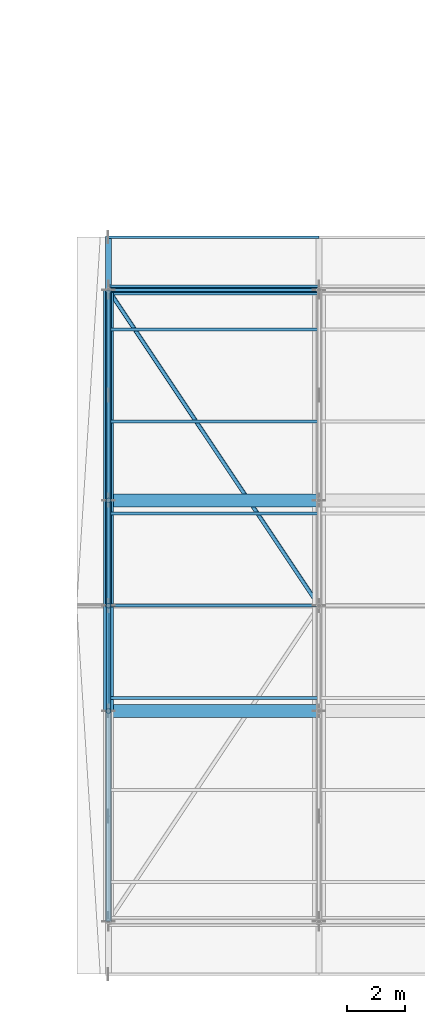
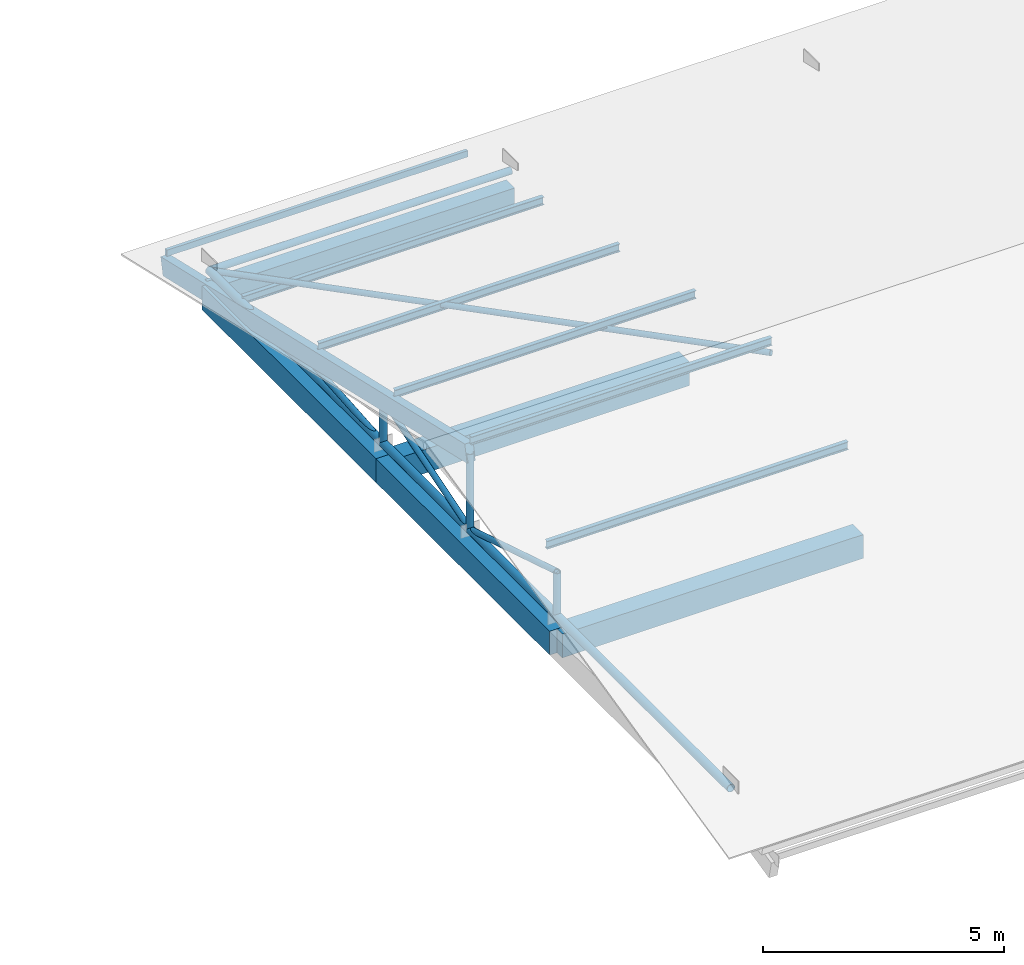
# One storey, part 17 of 93: 17 members, 5 beams.
"""IFC4 building model written with IfcOpenShell, lengths in metres."""

import ifcopenshell
import ifcopenshell.guid

model = None  # the IFC model being written
_history = None  # IfcOwnerHistory: only IFC2X3 demands one
_inside = {}  # id of a spatial element -> (the spatial element, [elements in it])
_under = {}  # id of a project, library or spatial element -> (it, [spatial elements below it])
_declared = {}  # id of a project -> (the project, [libraries it declares])
_typed = {}  # id of a type object -> (the type object, [elements of that type])
_made_of = {}  # id of a material, layer set ... -> (it, [elements and type objects made of it])


def new_model(schema):
    """Start an empty IFC model of exactly this schema.

    Asked for "IFC4X3", IfcOpenShell would pick the latest addendum, in which some entities
    have other attributes; the version numbers below select the first issue.
    IFC2X3 requires an IfcOwnerHistory on every rooted entity: one is made here for all.
    """
    global model, _history
    if schema == "IFC4X3":
        model = ifcopenshell.file(schema_version=(4, 3, 0, 0))
    else:
        model = ifcopenshell.file(schema=schema)
    _inside.clear()
    _under.clear()
    _declared.clear()
    _typed.clear()
    _made_of.clear()
    _history = None
    if model.schema == "IFC2X3":
        org = make("IfcOrganization", Name="unknown")
        user = make(
            "IfcPersonAndOrganization",
            ThePerson=make("IfcPerson", FamilyName="unknown"),
            TheOrganization=org,
        )
        app = make(
            "IfcApplication",
            ApplicationDeveloper=org,
            Version="unknown",
            ApplicationFullName="unknown",
            ApplicationIdentifier="unknown",
        )
        _history = make(
            "IfcOwnerHistory",
            OwningUser=user,
            OwningApplication=app,
            ChangeAction="ADDED",
            CreationDate=0,
        )
    return model


def make(cls, **values):
    """One entity of the class cls with the attributes given. An attribute that is None is left unset."""
    return model.create_entity(
        cls, **{name: value for name, value in values.items() if value is not None}
    )


def rooted(cls, **values):
    """An entity with a GlobalId (a new one), such as an element, a storey or a relation."""
    return make(cls, GlobalId=ifcopenshell.guid.new(), OwnerHistory=_history, **values)


def si_unit(unit_type, name, prefix=None):
    """IfcSIUnit, for example si_unit("LENGTHUNIT", "METRE", prefix="MILLI")."""
    return make("IfcSIUnit", UnitType=unit_type, Prefix=prefix, Name=name)


def assignment(units):
    """IfcUnitAssignment: the units of a project."""
    return None if units is None else make("IfcUnitAssignment", Units=units)


def point(xyz):
    """IfcCartesianPoint."""
    return None if xyz is None else make("IfcCartesianPoint", Coordinates=xyz)


def direction(xyz):
    """IfcDirection."""
    return None if xyz is None else make("IfcDirection", DirectionRatios=xyz)


def frame(location, z_axis=None, x_axis=None):
    """IfcAxis2Placement3D, a coordinate frame: its origin and axes. An axis left out is left unset."""
    return make(
        "IfcAxis2Placement3D",
        Location=point(location),
        Axis=direction(z_axis),
        RefDirection=direction(x_axis),
    )


def frame_2d(location, x_axis=None):
    """IfcAxis2Placement2D, a coordinate frame in the plane: its origin and x axis."""
    return make(
        "IfcAxis2Placement2D", Location=point(location), RefDirection=direction(x_axis)
    )


def origin():
    """The frame at (0, 0, 0) with its axes left unset."""
    return frame((0.0, 0.0, 0.0))


def origin_2d():
    """The frame at (0, 0) in the plane with its x axis left unset."""
    return frame_2d((0.0, 0.0))


def place(relative_to, where):
    """IfcLocalPlacement: puts the frame where relative to a parent placement (None: the world)."""
    return make(
        "IfcLocalPlacement", PlacementRelTo=relative_to, RelativePlacement=where
    )


def context(
    kind, dimensions, precision=None, world=None, true_north=None, identifier=None
):
    """IfcGeometricRepresentationContext, for example the 3D "Model" context."""
    return make(
        "IfcGeometricRepresentationContext",
        ContextIdentifier=identifier,
        ContextType=kind,
        CoordinateSpaceDimension=dimensions,
        Precision=precision,
        WorldCoordinateSystem=world,
        TrueNorth=true_north,
    )


def subcontext(parent, identifier, kind, view, scale=None):
    """IfcGeometricRepresentationSubContext, for example "Body" below "Model"."""
    return make(
        "IfcGeometricRepresentationSubContext",
        ContextIdentifier=identifier,
        ContextType=kind,
        ParentContext=parent,
        TargetScale=scale,
        TargetView=view,
    )


def project(units=None, contexts=None):
    """IfcProject with its units and contexts."""
    return rooted(
        "IfcProject",
        Name="project",
        RepresentationContexts=contexts,
        UnitsInContext=assignment(units),
    )


def spatial(cls, under=None, at=None, **own):
    """A site, building, storey or space (cls), placed at a placement, below another one or the project."""
    s = rooted(cls, ObjectPlacement=at, **own)
    if under is not None:
        _under.setdefault(under.id(), (under, []))[1].append(s)
    return s


def profile(cls, at=None, kind="AREA", **sizes):
    """A parametric profile (cls). Its sizes go by their IFC names, for example OverallWidth=200.0."""
    return make(cls, ProfileType=kind, Position=at, **sizes)


def rectangle(**sizes):
    """IfcRectangleProfileDef."""
    return profile("IfcRectangleProfileDef", **sizes)


def hollow_rectangle(**sizes):
    """IfcRectangleHollowProfileDef."""
    return profile("IfcRectangleHollowProfileDef", **sizes)


def hollow_circle(**sizes):
    """IfcCircleHollowProfileDef."""
    return profile("IfcCircleHollowProfileDef", **sizes)


def i_section(**sizes):
    """IfcIShapeProfileDef."""
    return profile("IfcIShapeProfileDef", **sizes)


def extrude(swept, where, along, depth):
    """IfcExtrudedAreaSolid: the profile swept, set in the frame where, extruded along a direction by depth."""
    return make(
        "IfcExtrudedAreaSolid",
        SweptArea=swept,
        Position=where,
        ExtrudedDirection=direction(along),
        Depth=depth,
    )


def shape(context_of_items, identifier, shape_type, items):
    """IfcShapeRepresentation: the items that make up one representation, for example the "Body"."""
    return make(
        "IfcShapeRepresentation",
        ContextOfItems=context_of_items,
        RepresentationIdentifier=identifier,
        RepresentationType=shape_type,
        Items=items,
    )


def material(Name=None, Category=None):
    """IfcMaterial."""
    return make("IfcMaterial", Name=Name, Category=Category)


def material_profile(
    of_material, cross_section, Name=None, Category=None, Priority=None
):
    """IfcMaterialProfile: a cross section and its material."""
    return make(
        "IfcMaterialProfile",
        Name=Name,
        Material=of_material,
        Profile=cross_section,
        Priority=Priority,
        Category=Category,
    )


def profile_set(profiles, Name=None, composite=None):
    """IfcMaterialProfileSet."""
    return make(
        "IfcMaterialProfileSet",
        Name=Name,
        MaterialProfiles=profiles,
        CompositeProfile=composite,
    )


def made_of(thing, what):
    """Note that an element or type object is made of a material, layer set ...; save() writes the relation."""
    if what is not None:
        _made_of.setdefault(what.id(), (what, []))[1].append(thing)
    return thing


def type_object(cls, material=None, **own):
    """A type object (cls), such as IfcWallType, which elements share."""
    return made_of(rooted(cls, **own), material)


def element(
    cls,
    number,
    at=None,
    inside=None,
    cuts=None,
    type_object=None,
    material=None,
    context=None,
    identifier="Body",
    shape_type=None,
    held_by="IfcProductDefinitionShape",
    body=None,
    shapes=None,
    **own,
):
    """One element of the class cls, such as IfcWall. Its Tag is "e" and its number.

    at: its placement. inside: the storey or other place that contains it. cuts: it is an
    opening in that element (IfcRelVoidsElement). A single representation is given by context,
    identifier, shape_type and body (its items); several are given by shapes. held_by: the class
    of the entity that holds the representations. save() writes the other relations.
    """
    e = rooted(cls, Tag="e%d" % number, ObjectPlacement=at, **own)
    if body is not None:
        shapes = [shape(context, identifier, shape_type, body)]
    if shapes is not None:
        e.Representation = make(held_by, Representations=shapes)
    if inside is not None:
        _inside.setdefault(inside.id(), (inside, []))[1].append(e)
    if cuts is not None:
        rooted(
            "IfcRelVoidsElement", RelatingBuildingElement=cuts, RelatedOpeningElement=e
        )
    if type_object is not None:
        _typed.setdefault(type_object.id(), (type_object, []))[1].append(e)
    return made_of(e, material)


def aggregate(whole, parts):
    """IfcRelAggregates: a whole, such as a stair, and the parts it consists of."""
    return rooted("IfcRelAggregates", RelatingObject=whole, RelatedObjects=parts)


def save(model, path):
    """Write the relations noted so far, then the file.

    IfcRelAggregates (storeys below a building ...), IfcRelContainedInSpatialStructure (elements
    in a storey), IfcRelDefinesByType, IfcRelAssociatesMaterial and IfcRelDeclares: one each for
    every whole, place, type object, material and project.
    """
    for whole, parts in _under.values():
        aggregate(whole, parts)
    for where, things in _inside.values():
        rooted(
            "IfcRelContainedInSpatialStructure",
            RelatedElements=things,
            RelatingStructure=where,
        )
    for kind, things in _typed.values():
        rooted("IfcRelDefinesByType", RelatedObjects=things, RelatingType=kind)
    for what, things in _made_of.values():
        rooted("IfcRelAssociatesMaterial", RelatedObjects=things, RelatingMaterial=what)
    for by, libraries in _declared.values():
        rooted("IfcRelDeclares", RelatingContext=by, RelatedDefinitions=libraries)
    model.write(path)


model = new_model("IFC4")

# Units and contexts
model_context = context("Model", 3, precision=1e-05, world=origin(), true_north=direction((0.0, 1.0)))
body_context = subcontext(model_context, "Body", "Model", "MODEL_VIEW")
ifc_project = project(units=[si_unit("LENGTHUNIT", "METRE"), si_unit("AREAUNIT", "SQUARE_METRE"), si_unit("VOLUMEUNIT", "CUBIC_METRE"), si_unit("PLANEANGLEUNIT", "RADIAN"), si_unit("MASSUNIT", "GRAM", prefix="KILO")], contexts=[model_context])

# Site, building, storey
site_placement = place(None, origin())
site = spatial("IfcSite", under=ifc_project, at=site_placement, CompositionType="ELEMENT")
building_placement = place(site_placement, origin())
building = spatial("IfcBuilding", under=site, at=building_placement, Name="Zornivar Specialist Clinic", CompositionType="ELEMENT")
storey_placement = place(building_placement, frame((0.0, 0.0, 8.39990234375)))
storey = spatial("IfcBuildingStorey", under=building, at=storey_placement, Name="L02", CompositionType="ELEMENT", Elevation=8.39990234375)

# Beams
ifc_material_1 = material(Name="Concrete C30/37", Category="concrete")
ifc_material_profile_1 = material_profile(ifc_material_1, rectangle(XDim=0.43994140625, YDim=0.60009765625, at=origin_2d()), Name="RC 440x600")
ifc_profile_set_1 = profile_set([ifc_material_profile_1], Name="Concrete C30/37")
beam_type_1 = type_object("IfcBeamType", Name="BM-RC-440x600", PredefinedType="BEAM", material=ifc_profile_set_1)
for number, where, z_axis, x_axis, name in (
    (1, (122.39990234375, 7.199951171875, -0.2998046875), (1.0, 0.0, 0.0), (0.0, 1.0, 0.0), "bm:V4:L02:x:72:0"),
    (2, (122.39990234375, 14.39990234375, -0.2998046875), (1.0, 0.0, 0.0), (0.0, 1.0, 0.0), "bm:V4:L02:x:144:0"),
):
    element("IfcBeam", number, at=place(storey_placement, frame(where, z_axis=z_axis, x_axis=x_axis)), inside=storey, type_object=beam_type_1, Name=name, PredefinedType="BEAM", context=body_context, shape_type="SweptSolid", body=[
        extrude(rectangle(XDim=0.43994140625, YDim=0.60009765625, at=origin_2d()), origin(), (0.0, 0.0, 1.0), 7.2001953125),
    ])
ifc_material_2 = material(Name="Concrete C30/37", Category="concrete")
ifc_material_profile_2 = material_profile(ifc_material_2, rectangle(XDim=0.35009765625, YDim=0.60009765625, at=origin_2d()), Name="RC 350x600")
ifc_profile_set_2 = profile_set([ifc_material_profile_2], Name="Concrete C30/37")
beam_type_2 = type_object("IfcBeamType", Name="BM-RC-SPANDREL-350x600", PredefinedType="SPANDREL", material=ifc_profile_set_2)
beam_1_placement = place(storey_placement, frame((122.39990234375, 21.60009765625, -0.2998046875), z_axis=(1.0, 0.0, 0.0), x_axis=(0.0, 1.0, 0.0)))
element("IfcBeam", 3, at=beam_1_placement, inside=storey, type_object=beam_type_2, Name="bm:V4:L02:x:216:0", PredefinedType="SPANDREL", context=body_context, shape_type="SweptSolid", body=[
    extrude(rectangle(XDim=0.35009765625, YDim=0.60009765625, at=origin_2d()), origin(), (0.0, 0.0, 1.0), 7.2001953125),
])
beam_2_placement = place(storey_placement, frame((122.39990234375, 7.199951171875, -0.2998046875), z_axis=(0.0, 1.0, 0.0), x_axis=(-1.0, 0.0, 0.0)))
element("IfcBeam", 4, at=beam_2_placement, inside=storey, type_object=beam_type_2, Name="bm:V4:L02:y:1224:1", PredefinedType="SPANDREL", context=body_context, shape_type="SweptSolid", body=[
    extrude(rectangle(XDim=0.35009765625, YDim=0.60009765625, at=origin_2d()), origin(), (0.0, 0.0, 1.0), 7.199951171875),
])
beam_3_placement = place(storey_placement, frame((122.39990234375, 14.39990234375, -0.2998046875), z_axis=(0.0, 1.0, 0.0), x_axis=(-1.0, 0.0, 0.0)))
element("IfcBeam", 5, at=beam_3_placement, inside=storey, type_object=beam_type_2, Name="bm:V4:L02:y:1224:2", PredefinedType="SPANDREL", context=body_context, shape_type="SweptSolid", body=[
    extrude(rectangle(XDim=0.35009765625, YDim=0.60009765625, at=origin_2d()), origin(), (0.0, 0.0, 1.0), 7.2001953125),
])

# Members
ifc_material_3 = material(Name="Steel S355J2", Category="steel")
ifc_material_profile_3 = material_profile(ifc_material_3, hollow_circle(Radius=0.096923828125, WallThickness=0.010009765625, at=origin_2d()), Name="CHS 193.7x10")
ifc_profile_set_3 = profile_set([ifc_material_profile_3], Name="Steel S355J2")
member_type_1 = type_object("IfcMemberType", Name="MEM-CHORD-CHS194", PredefinedType="CHORD", material=ifc_profile_set_3)
member_1_placement = place(storey_placement, frame((122.39990234375, 0.0, 0.340087890625), z_axis=(0.0, 1.0, 0.0), x_axis=(-1.0, 0.0, 0.0)))
element("IfcMember", 6, at=member_1_placement, inside=storey, type_object=member_type_1, Name="mem:V4:L02:bchord:0", PredefinedType="CHORD", context=body_context, shape_type="SweptSolid", body=[
    extrude(hollow_circle(Radius=0.096923828125, WallThickness=0.010009765625, at=origin_2d()), origin(), (0.0, 0.0, 1.0), 21.60009765625),
])
ifc_material_4 = material(Name="Steel S355J2", Category="steel")
ifc_material_profile_4 = material_profile(ifc_material_4, hollow_circle(Radius=0.06982421875, WallThickness=0.008056640625, at=origin_2d()), Name="CHS 139.7x8")
ifc_profile_set_4 = profile_set([ifc_material_profile_4], Name="Steel S355J2")
member_type_2 = type_object("IfcMemberType", Name="MEM-DIAG-CHS140", PredefinedType="BRACE", material=ifc_profile_set_4)
member_2_placement = place(storey_placement, frame((122.39990234375, 10.800048828125, 0.340087890625), z_axis=(0.0, -0.955308543941, 0.29561053072), x_axis=(1.0, 0.0, 0.0)))
element("IfcMember", 7, at=member_2_placement, inside=storey, type_object=member_type_2, Name="mem:V4:L02:diag:0:S:0", PredefinedType="BRACE", context=body_context, shape_type="SweptSolid", body=[
    extrude(hollow_circle(Radius=0.06982421875, WallThickness=0.008056640625, at=origin_2d()), origin(), (0.0, 0.0, 1.0), 3.7685546875),
])
member_3_placement = place(storey_placement, frame((122.39990234375, 10.800048828125, 0.340087890625), z_axis=(0.0, 0.955302882206, 0.295628826823), x_axis=(-1.0, 0.0, 0.0)))
element("IfcMember", 8, at=member_3_placement, inside=storey, type_object=member_type_2, Name="mem:V4:L02:diag:0:N:0", PredefinedType="BRACE", context=body_context, shape_type="SweptSolid", body=[
    extrude(hollow_circle(Radius=0.06982421875, WallThickness=0.008056640625, at=origin_2d()), origin(), (0.0, 0.0, 1.0), 3.768310546875),
])
member_4_placement = place(storey_placement, frame((122.39990234375, 14.39990234375, 0.340087890625), z_axis=(0.0, 0.996883055642, 0.078893430485), x_axis=(-1.0, 0.0, 0.0)))
element("IfcMember", 9, at=member_4_placement, inside=storey, type_object=member_type_2, Name="mem:V4:L02:diag:0:N:1", PredefinedType="BRACE", context=body_context, shape_type="SweptSolid", body=[
    extrude(hollow_circle(Radius=0.06982421875, WallThickness=0.008056640625, at=origin_2d()), origin(), (0.0, 0.0, 1.0), 3.611328125),
])
ifc_material_5 = material(Name="Steel S355J2", Category="steel")
ifc_material_profile_5 = material_profile(ifc_material_5, hollow_circle(Radius=0.06982421875, WallThickness=0.010009765625, at=origin_2d()), Name="CHS 139.7x10")
ifc_profile_set_5 = profile_set([ifc_material_profile_5], Name="Steel S355J2")
member_type_3 = type_object("IfcMemberType", Name="MEM-DIAG-CHS140H", PredefinedType="BRACE", material=ifc_profile_set_5)
member_5_placement = place(storey_placement, frame((122.39990234375, 18.0, 0.340087890625), z_axis=(0.0, 0.988817004891, -0.149133935906), x_axis=(-1.0, 0.0, 0.0)))
element("IfcMember", 10, at=member_5_placement, inside=storey, type_object=member_type_3, Name="mem:V4:L02:diag:0:N:2", PredefinedType="BRACE", context=body_context, shape_type="SweptSolid", body=[
    extrude(hollow_circle(Radius=0.06982421875, WallThickness=0.010009765625, at=origin_2d()), origin(), (0.0, 0.0, 1.0), 3.640869140625),
])
ifc_material_6 = material(Name="Steel S355J2", Category="steel")
ifc_material_profile_6 = material_profile(ifc_material_6, hollow_rectangle(XDim=0.080078125, YDim=0.159912109375, WallThickness=0.008056640625, at=origin_2d()), Name="RHS 160x80x8")
ifc_profile_set_6 = profile_set([ifc_material_profile_6], Name="Steel S355J2")
member_type_4 = type_object("IfcMemberType", Name="MEM-EAVE-RHS160", PredefinedType="USERDEFINED", material=ifc_profile_set_6)
member_6_placement = place(storey_placement, frame((122.39990234375, 23.39990234375, -0.305908203125), z_axis=(1.0, 0.0, 0.0), x_axis=(0.0, 1.0, 0.0)))
element("IfcMember", 11, at=member_6_placement, inside=storey, type_object=member_type_4, Name="mem:V4:L02:purl:0:08", ObjectType="EAVE RAFTER", PredefinedType="USERDEFINED", context=body_context, shape_type="SweptSolid", body=[
    extrude(hollow_rectangle(XDim=0.080078125, YDim=0.159912109375, WallThickness=0.008056640625, at=origin_2d()), origin(), (0.0, 0.0, 1.0), 7.2001953125),
])
ifc_material_7 = material(Name="Steel S355J2", Category="steel")
ifc_material_profile_7 = material_profile(ifc_material_7, hollow_circle(Radius=0.084228515625, WallThickness=0.012451171875, at=origin_2d()), Name="CHS 168.3x12.5")
ifc_profile_set_7 = profile_set([ifc_material_profile_7], Name="Steel S355J2")
member_type_5 = type_object("IfcMemberType", Name="MEM-KING-CHS168H", PredefinedType="STRUT", material=ifc_profile_set_7)
member_7_placement = place(storey_placement, frame((122.39990234375, 10.800048828125, 0.340087890625), z_axis=(0.0, 0.0, 1.0), x_axis=(1.0, 0.0, 0.0)))
element("IfcMember", 12, at=member_7_placement, inside=storey, type_object=member_type_5, Name="mem:V4:L02:king:0", PredefinedType="STRUT", context=body_context, shape_type="SweptSolid", body=[
    extrude(hollow_circle(Radius=0.084228515625, WallThickness=0.012451171875, at=origin_2d()), origin(), (0.0, 0.0, 1.0), 1.94189453125),
])
ifc_material_8 = material(Name="Steel S355J2", Category="steel")
ifc_material_profile_8 = material_profile(ifc_material_8, i_section(OverallWidth=0.10009765625, OverallDepth=0.199951171875, WebThickness=0.005615234375, FlangeThickness=0.008544921875, FilletRadius=0.011962890625, at=origin_2d()), Name="IPE 200")
ifc_profile_set_8 = profile_set([ifc_material_profile_8], Name="Steel S355J2")
member_type_6 = type_object("IfcMemberType", Name="MEM-PURLIN-IPE200", PredefinedType="PURLIN", material=ifc_profile_set_8)
for number, where, z_axis, x_axis, name in (
    (13, (122.39990234375, 7.64990234375, 1.869140625), (1.0, 0.0, 0.0), (0.0, 1.0, 0.0), "mem:V4:L02:purl:0:03"),
    (14, (122.39990234375, 10.800048828125, 2.593994140625), (1.0, 0.0, 0.0), (0.0, 1.0, 0.0), "mem:V4:L02:purl:0:04"),
    (15, (122.39990234375, 13.949951171875, 1.869140625), (1.0, 0.0, 0.0), (0.0, 1.0, 0.0), "mem:V4:L02:purl:0:05"),
    (16, (122.39990234375, 17.10009765625, 1.14404296875), (1.0, 0.0, 0.0), (0.0, 1.0, 0.0), "mem:V4:L02:purl:0:06"),
    (17, (122.39990234375, 20.25, 0.419189453125), (1.0, 0.0, 0.0), (0.0, 1.0, 0.0), "mem:V4:L02:purl:0:07"),
):
    element("IfcMember", number, at=place(storey_placement, frame(where, z_axis=z_axis, x_axis=x_axis)), inside=storey, type_object=member_type_6, Name=name, PredefinedType="PURLIN", context=body_context, shape_type="SweptSolid", body=[
        extrude(i_section(OverallWidth=0.10009765625, OverallDepth=0.199951171875, WebThickness=0.005615234375, FlangeThickness=0.008544921875, FilletRadius=0.011962890625, at=origin_2d()), origin(), (0.0, 0.0, 1.0), 7.2001953125),
    ])
ifc_material_9 = material(Name="Glulam GL28h", Category="wood")
ifc_material_profile_9 = material_profile(ifc_material_9, rectangle(XDim=0.199951171875, YDim=0.43994140625, at=origin_2d()), Name="GL28h 200x440")
ifc_profile_set_9 = profile_set([ifc_material_profile_9], Name="Glulam GL28h")
member_type_7 = type_object("IfcMemberType", Name="MEM-RAFTER-GL440", PredefinedType="RAFTER", material=ifc_profile_set_9)
member_8_placement = place(storey_placement, frame((122.39990234375, 23.39990234375, -0.617919921875), z_axis=(0.0, -0.974522466256, 0.224289907849), x_axis=(1.0, 0.0, 0.0)))
element("IfcMember", 18, at=member_8_placement, inside=storey, type_object=member_type_7, Name="mem:V4:L02:rafN:0", PredefinedType="RAFTER", context=body_context, shape_type="SweptSolid", body=[
    extrude(rectangle(XDim=0.199951171875, YDim=0.43994140625, at=origin_2d()), origin(), (0.0, 0.0, 1.0), 12.92919921875),
])
ifc_material_10 = material(Name="Steel S355J2", Category="steel")
ifc_material_profile_10 = material_profile(ifc_material_10, hollow_circle(Radius=0.084228515625, WallThickness=0.010009765625, at=origin_2d()), Name="CHS 168.3x10")
ifc_profile_set_10 = profile_set([ifc_material_profile_10], Name="Steel S355J2")
member_type_8 = type_object("IfcMemberType", Name="MEM-STRUT-CHS168", PredefinedType="STRUT", material=ifc_profile_set_10)
for number, where, z_axis, x_axis, name in (
    (19, (122.39990234375, 7.199951171875, 0.340087890625), (0.0, 0.0, 1.0), (1.0, 0.0, 0.0), "mem:V4:L02:vert:0:S:1"),
    (20, (122.39990234375, 14.39990234375, 0.340087890625), (0.0, 0.0, 1.0), (1.0, 0.0, 0.0), "mem:V4:L02:vert:0:N:1"),
):
    element("IfcMember", number, at=place(storey_placement, frame(where, z_axis=z_axis, x_axis=x_axis)), inside=storey, type_object=member_type_8, Name=name, PredefinedType="STRUT", context=body_context, shape_type="SweptSolid", body=[
        extrude(hollow_circle(Radius=0.084228515625, WallThickness=0.010009765625, at=origin_2d()), origin(), (0.0, 0.0, 1.0), 1.114013671875),
    ])
member_9_placement = place(storey_placement, frame((122.39990234375, 21.60009765625, 0.340087890625), z_axis=(1.0, 0.0, 0.0), x_axis=(0.0, 1.0, 0.0)))
element("IfcMember", 21, at=member_9_placement, inside=storey, type_object=member_type_8, Name="mem:V4:L02:ltieN:0", PredefinedType="STRUT", context=body_context, shape_type="SweptSolid", body=[
    extrude(hollow_circle(Radius=0.084228515625, WallThickness=0.010009765625, at=origin_2d()), origin(), (0.0, 0.0, 1.0), 7.2001953125),
])
ifc_material_11 = material(Name="Steel S355J2", Category="steel")
ifc_material_profile_11 = material_profile(ifc_material_11, hollow_circle(Radius=0.06982421875, WallThickness=0.008056640625, at=origin_2d()), Name="CHS 139.7x8")
ifc_profile_set_11 = profile_set([ifc_material_profile_11], Name="Steel S355J2")
member_type_9 = type_object("IfcMemberType", Name="MEM-WIND-CHS140", PredefinedType="BRACE", material=ifc_profile_set_11)
member_10_placement = place(storey_placement, frame((122.39990234375, 21.60009765625, 0.340087890625), z_axis=(0.54860351225, -0.822886666602, 0.147958508627), x_axis=(0.832044506972, 0.554708877176, 0.0)))
element("IfcMember", 22, at=member_10_placement, inside=storey, type_object=member_type_9, Name="mem:V4:L02:wbraceN:0", PredefinedType="BRACE", context=body_context, shape_type="SweptSolid", body=[
    extrude(hollow_circle(Radius=0.06982421875, WallThickness=0.008056640625, at=origin_2d()), origin(), (0.0, 0.0, 1.0), 13.12451171875),
])

save(model, "model.ifc")
